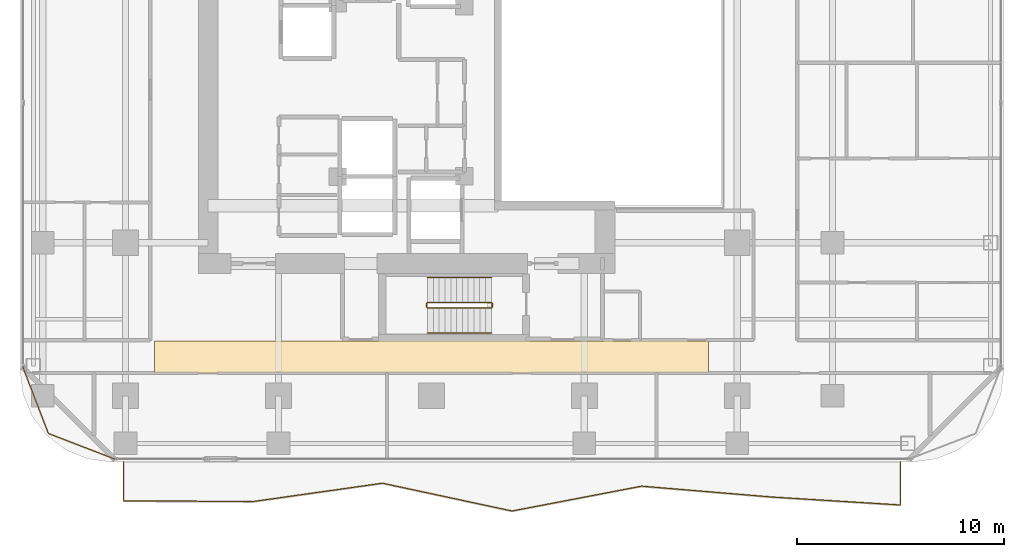
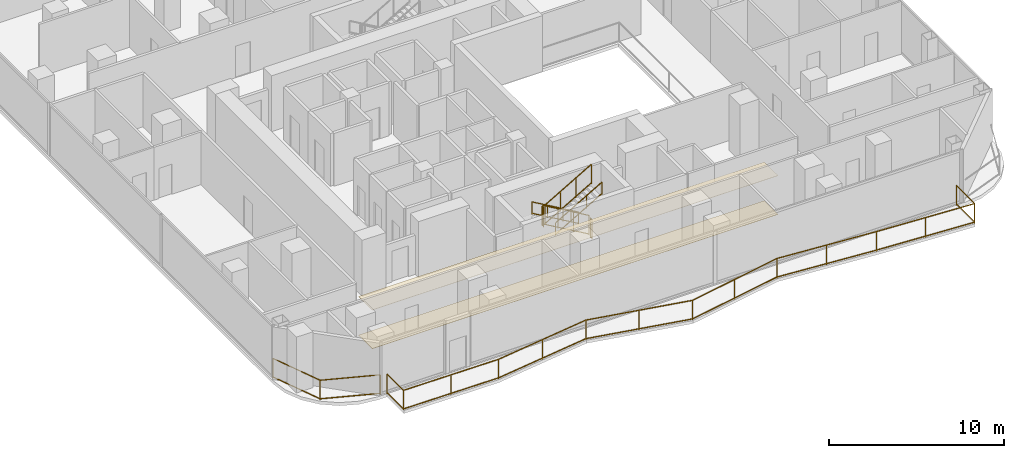
# One storey, part 25 of 27: 8 railings, 2 coverings.
"""IFC4 building model written with IfcOpenShell, lengths in metres."""

from ifc_helpers import new_model, si_unit, direction, frame, origin, origin_2d, place, context, subcontext, project, spatial, polyline, rectangle, outline, extrude, material, layer, layer_set, type_object, element, save


model = new_model("IFC4")

# Units and contexts
model_context = context("Model", 3, precision=1e-05, world=origin(), true_north=direction((0.0, 1.0)))
body_context = subcontext(model_context, "Body", "Model", "MODEL_VIEW")
ifc_project = project(units=[si_unit("LENGTHUNIT", "METRE"), si_unit("AREAUNIT", "SQUARE_METRE"), si_unit("VOLUMEUNIT", "CUBIC_METRE"), si_unit("PLANEANGLEUNIT", "RADIAN"), si_unit("MASSUNIT", "GRAM", prefix="KILO")], contexts=[model_context])

# Site, building, storey
site_placement = place(None, origin())
site = spatial("IfcSite", under=ifc_project, at=site_placement, CompositionType="ELEMENT")
building_placement = place(site_placement, origin())
building = spatial("IfcBuilding", under=site, at=building_placement, Name="Khorvyn Point Tower", CompositionType="ELEMENT")
storey_placement = place(building_placement, frame((0.0, 0.0, 125.10009765625)))
storey = spatial("IfcBuildingStorey", under=building, at=storey_placement, Name="L31", CompositionType="ELEMENT", Elevation=125.10009765625)

# Railings
ifc_material_1 = material(Name="Anodised aluminium 6063-T6 and laminated safety glass", Category="aluminium")
railing_type_1 = type_object("IfcRailingType", Name="Laminated Glass and Aluminium Balcony Guardrail 1400", PredefinedType="BALUSTRADE", material=ifc_material_1)
railing_1_placement = place(storey_placement, frame((-19.774169921875, -13.3759765625, 0.0)))
element("IfcRailing", 1, at=railing_1_placement, inside=storey, type_object=railing_type_1, Name="L31 Rounded Corner Edge Guardrail SW", PredefinedType="BALUSTRADE", context=body_context, shape_type="SweptSolid", body=[
    extrude(rectangle(XDim=0.048095703125, YDim=0.048095703125, at=origin_2d()), frame((0.0, 0.0, 1.3759765625), z_axis=(0.358382264808, -0.933574931257, 0.0), x_axis=(0.933574931257, 0.358382264808, 0.0)), (0.0, 0.0, 1.0), 3.481689453125),
    extrude(rectangle(XDim=0.048095703125, YDim=0.048095703125, at=origin_2d()), frame((0.0, 0.0, 0.080078125), z_axis=(0.358382264808, -0.933574931257, 0.0), x_axis=(0.933574931257, 0.358382264808, 0.0)), (0.0, 0.0, 1.0), 3.481689453125),
    extrude(rectangle(XDim=0.048095703125, YDim=0.048095703125, at=origin_2d()), frame((1.247802734375, -3.25048828125, 1.3759765625), z_axis=(0.933598390295, -0.358321148746, 0.0), x_axis=(0.358321148746, 0.933598390295, 0.0)), (0.0, 0.0, 1.0), 3.481689453125),
    extrude(rectangle(XDim=0.048095703125, YDim=0.048095703125, at=origin_2d()), frame((1.247802734375, -3.25048828125, 0.080078125), z_axis=(0.933598390295, -0.358321148746, 0.0), x_axis=(0.358321148746, 0.933598390295, 0.0)), (0.0, 0.0, 1.0), 3.481689453125),
    extrude(rectangle(XDim=0.0419921875, YDim=0.0419921875, at=origin_2d()), origin(), (0.0, 0.0, 1.0), 1.351806640625),
    extrude(rectangle(XDim=0.0419921875, YDim=0.0419921875, at=origin_2d()), frame((1.247802734375, -3.25048828125, 0.0)), (0.0, 0.0, 1.0), 1.351806640625),
    extrude(rectangle(XDim=0.0419921875, YDim=0.0419921875, at=origin_2d()), frame((4.498291015625, -4.498046875, 0.0)), (0.0, 0.0, 1.0), 1.351806640625),
])
railing_2_placement = place(storey_placement, frame((-14.89990234375, -18.0, 0.0)))
element("IfcRailing", 2, at=railing_2_placement, inside=storey, type_object=railing_type_1, Name="L31 South Balcony Guardrail", PredefinedType="BALUSTRADE", context=body_context, shape_type="SweptSolid", body=[
    extrude(rectangle(XDim=0.048095703125, YDim=0.048095703125, at=origin_2d()), frame((0.0, 0.0, 1.3759765625), z_axis=(0.0, -1.0, 0.0), x_axis=(1.0, 0.0, 0.0)), (0.0, 0.0, 1.0), 1.881591796875),
    extrude(rectangle(XDim=0.048095703125, YDim=0.048095703125, at=origin_2d()), frame((0.0, 0.0, 0.080078125), z_axis=(0.0, -1.0, 0.0), x_axis=(1.0, 0.0, 0.0)), (0.0, 0.0, 1.0), 1.881591796875),
    extrude(rectangle(XDim=0.048095703125, YDim=0.048095703125, at=origin_2d()), frame((0.0, -1.881591796875, 1.3759765625), z_axis=(0.999983823628, -0.005687924195, 0.0), x_axis=(0.005687924195, 0.999983823628, 0.0)), (0.0, 0.0, 1.0), 6.2666015625),
    extrude(rectangle(XDim=0.048095703125, YDim=0.048095703125, at=origin_2d()), frame((0.0, -1.881591796875, 0.080078125), z_axis=(0.999983823628, -0.005687924195, 0.0), x_axis=(0.005687924195, 0.999983823628, 0.0)), (0.0, 0.0, 1.0), 6.2666015625),
    extrude(rectangle(XDim=0.048095703125, YDim=0.048095703125, at=origin_2d()), frame((6.2666015625, -1.917236328125, 1.3759765625), z_axis=(0.990115445767, 0.14025478264, 0.0), x_axis=(-0.14025478264, 0.990115445767, 0.0)), (0.0, 0.0, 1.0), 6.3291015625),
    extrude(rectangle(XDim=0.048095703125, YDim=0.048095703125, at=origin_2d()), frame((6.2666015625, -1.917236328125, 0.080078125), z_axis=(0.990115445767, 0.14025478264, 0.0), x_axis=(-0.14025478264, 0.990115445767, 0.0)), (0.0, 0.0, 1.0), 6.3291015625),
    extrude(rectangle(XDim=0.048095703125, YDim=0.048095703125, at=origin_2d()), frame((12.533203125, -1.029541015625, 1.3759765625), z_axis=(0.977765606947, -0.209700781761, 0.0), x_axis=(0.209700781761, 0.977765606947, 0.0)), (0.0, 0.0, 1.0), 6.4091796875),
    extrude(rectangle(XDim=0.048095703125, YDim=0.048095703125, at=origin_2d()), frame((12.533203125, -1.029541015625, 0.080078125), z_axis=(0.977765606947, -0.209700781761, 0.0), x_axis=(0.209700781761, 0.977765606947, 0.0)), (0.0, 0.0, 1.0), 6.4091796875),
    extrude(rectangle(XDim=0.048095703125, YDim=0.048095703125, at=origin_2d()), frame((18.7998046875, -2.37353515625, 1.3759765625), z_axis=(0.982122245622, 0.188244242022, 0.0), x_axis=(-0.188244242022, 0.982122245622, 0.0)), (0.0, 0.0, 1.0), 6.380859375),
    extrude(rectangle(XDim=0.048095703125, YDim=0.048095703125, at=origin_2d()), frame((18.7998046875, -2.37353515625, 0.080078125), z_axis=(0.982122245622, 0.188244242022, 0.0), x_axis=(-0.188244242022, 0.982122245622, 0.0)), (0.0, 0.0, 1.0), 6.380859375),
    extrude(rectangle(XDim=0.048095703125, YDim=0.048095703125, at=origin_2d()), frame((25.066650390625, -1.17236328125, 1.3759765625), z_axis=(0.996536112454, -0.083161148234, 0.0), x_axis=(0.083161148234, 0.996536112454, 0.0)), (0.0, 0.0, 1.0), 6.288330078125),
    extrude(rectangle(XDim=0.048095703125, YDim=0.048095703125, at=origin_2d()), frame((25.066650390625, -1.17236328125, 0.080078125), z_axis=(0.996536112454, -0.083161148234, 0.0), x_axis=(0.083161148234, 0.996536112454, 0.0)), (0.0, 0.0, 1.0), 6.288330078125),
    extrude(rectangle(XDim=0.048095703125, YDim=0.048095703125, at=origin_2d()), frame((31.333251953125, -1.6953125, 1.3759765625), z_axis=(0.998086922603, -0.061826328773, 0.0), x_axis=(0.061826328773, 0.998086922603, 0.0)), (0.0, 0.0, 1.0), 6.278564453125),
    extrude(rectangle(XDim=0.048095703125, YDim=0.048095703125, at=origin_2d()), frame((31.333251953125, -1.6953125, 0.080078125), z_axis=(0.998086922603, -0.061826328773, 0.0), x_axis=(0.061826328773, 0.998086922603, 0.0)), (0.0, 0.0, 1.0), 6.278564453125),
    extrude(rectangle(XDim=0.048095703125, YDim=0.048095703125, at=origin_2d()), frame((37.599853515625, -2.08349609375, 1.3759765625), z_axis=(0.0, 1.0, 0.0), x_axis=(-1.0, 0.0, 0.0)), (0.0, 0.0, 1.0), 2.08349609375),
    extrude(rectangle(XDim=0.048095703125, YDim=0.048095703125, at=origin_2d()), frame((37.599853515625, -2.08349609375, 0.080078125), z_axis=(0.0, 1.0, 0.0), x_axis=(-1.0, 0.0, 0.0)), (0.0, 0.0, 1.0), 2.08349609375),
    extrude(rectangle(XDim=0.0419921875, YDim=0.0419921875, at=origin_2d()), origin(), (0.0, 0.0, 1.0), 1.351806640625),
    extrude(rectangle(XDim=0.0419921875, YDim=0.0419921875, at=origin_2d()), frame((0.0, -1.881591796875, 0.0)), (0.0, 0.0, 1.0), 1.351806640625),
    extrude(rectangle(XDim=0.0419921875, YDim=0.0419921875, at=origin_2d()), frame((3.13330078125, -1.8994140625, 0.0)), (0.0, 0.0, 1.0), 1.351806640625),
    extrude(rectangle(XDim=0.0419921875, YDim=0.0419921875, at=origin_2d()), frame((6.2666015625, -1.917236328125, 0.0)), (0.0, 0.0, 1.0), 1.351806640625),
    extrude(rectangle(XDim=0.0419921875, YDim=0.0419921875, at=origin_2d()), frame((9.39990234375, -1.473388671875, 0.0)), (0.0, 0.0, 1.0), 1.351806640625),
    extrude(rectangle(XDim=0.0419921875, YDim=0.0419921875, at=origin_2d()), frame((12.533203125, -1.029541015625, 0.0)), (0.0, 0.0, 1.0), 1.351806640625),
    extrude(rectangle(XDim=0.0419921875, YDim=0.0419921875, at=origin_2d()), frame((15.66650390625, -1.70166015625, 0.0)), (0.0, 0.0, 1.0), 1.351806640625),
    extrude(rectangle(XDim=0.0419921875, YDim=0.0419921875, at=origin_2d()), frame((18.7998046875, -2.37353515625, 0.0)), (0.0, 0.0, 1.0), 1.351806640625),
    extrude(rectangle(XDim=0.0419921875, YDim=0.0419921875, at=origin_2d()), frame((21.93310546875, -1.77294921875, 0.0)), (0.0, 0.0, 1.0), 1.351806640625),
    extrude(rectangle(XDim=0.0419921875, YDim=0.0419921875, at=origin_2d()), frame((25.066650390625, -1.17236328125, 0.0)), (0.0, 0.0, 1.0), 1.351806640625),
    extrude(rectangle(XDim=0.0419921875, YDim=0.0419921875, at=origin_2d()), frame((28.199951171875, -1.433837890625, 0.0)), (0.0, 0.0, 1.0), 1.351806640625),
    extrude(rectangle(XDim=0.0419921875, YDim=0.0419921875, at=origin_2d()), frame((31.333251953125, -1.6953125, 0.0)), (0.0, 0.0, 1.0), 1.351806640625),
    extrude(rectangle(XDim=0.0419921875, YDim=0.0419921875, at=origin_2d()), frame((34.466552734375, -1.889404296875, 0.0)), (0.0, 0.0, 1.0), 1.351806640625),
    extrude(rectangle(XDim=0.0419921875, YDim=0.0419921875, at=origin_2d()), frame((37.599853515625, -2.08349609375, 0.0)), (0.0, 0.0, 1.0), 1.351806640625),
    extrude(rectangle(XDim=0.0419921875, YDim=0.0419921875, at=origin_2d()), frame((37.599853515625, 0.0, 0.0)), (0.0, 0.0, 1.0), 1.351806640625),
])

# Coverings
ifc_material_2 = material(Name="Mineral-fibre acoustic ceiling board", Category="gypsum")
ifc_layer_1 = layer(ifc_material_2, 0.02001953125)
ifc_layer_set_1 = layer_set([ifc_layer_1], Name="Perforated Mineral-Fibre Acoustic Suspended Ceiling 20")
covering_type_1 = type_object("IfcCoveringType", Name="Perforated Mineral-Fibre Acoustic Suspended Ceiling 20", PredefinedType="CEILING", material=ifc_layer_set_1)
covering_1_placement = place(storey_placement, frame((0.0, 0.0, 2.699951171875)))
element("IfcCovering", 3, at=covering_1_placement, inside=storey, type_object=covering_type_1, Name="L31 South Corridor Acoustic Ceiling", PredefinedType="CEILING", context=body_context, shape_type="SweptSolid", body=[
    extrude(outline(polyline([(-13.39990234375, -13.7099609375), (13.39990234375, -13.7099609375), (13.39990234375, -12.139892578125), (-13.39990234375, -12.139892578125), (-13.39990234375, -13.7099609375)])), origin(), (0.0, 0.0, 1.0), 0.02001953125),
])
ifc_material_3 = material(Name="Vitrified porcelain terrazzo tile", Category="ceramic")
ifc_layer_2 = layer(ifc_material_3, 0.01806640625)
ifc_layer_set_2 = layer_set([ifc_layer_2], Name="Porcelain Terrazzo Corridor Floor Finish Tile 18")
covering_type_2 = type_object("IfcCoveringType", Name="Porcelain Terrazzo Corridor Floor Finish Tile 18", PredefinedType="FLOORING", material=ifc_layer_set_2)
covering_2_placement = place(storey_placement, origin())
element("IfcCovering", 4, at=covering_2_placement, inside=storey, type_object=covering_type_2, Name="L31 South Corridor Terrazzo Flooring", PredefinedType="FLOORING", context=body_context, shape_type="SweptSolid", body=[
    extrude(outline(polyline([(-13.39990234375, -13.7099609375), (13.39990234375, -13.7099609375), (13.39990234375, -12.139892578125), (-13.39990234375, -12.139892578125), (-13.39990234375, -13.7099609375)])), origin(), (0.0, 0.0, 1.0), 0.017822265625),
])

# Railings
ifc_material_4 = material(Name="Stainless steel 1.4301", Category="steel")
railing_type_2 = type_object("IfcRailingType", Name="Stainless Steel 304 Stair Pitch Handrail 900", PredefinedType="HANDRAIL", material=ifc_material_4)
railing_3_placement = place(storey_placement, frame((2.89990234375, -9.070068359375, 0.162353515625)))
element("IfcRailing", 5, at=railing_3_placement, inside=storey, type_object=railing_type_2, Name="L31 ST-01 stair handrail 1", PredefinedType="HANDRAIL", context=body_context, shape_type="SweptSolid", body=[
    extrude(rectangle(XDim=0.048095703125, YDim=0.048095703125, at=origin_2d()), frame((0.0, 0.0, 0.8759765625), z_axis=(-0.864873446163, 0.0, 0.501989962173), x_axis=(0.0, -1.0, 0.0)), (0.0, 0.0, 1.0), 3.56103515625),
    extrude(rectangle(XDim=0.048095703125, YDim=0.048095703125, at=origin_2d()), frame((0.0, 0.0, 0.080078125), z_axis=(-0.864873446163, 0.0, 0.501989962173), x_axis=(0.0, -1.0, 0.0)), (0.0, 0.0, 1.0), 3.56103515625),
    extrude(rectangle(XDim=0.0419921875, YDim=0.0419921875, at=origin_2d()), origin(), (0.0, 0.0, 1.0), 0.851806640625),
    extrude(rectangle(XDim=0.0419921875, YDim=0.0419921875, at=origin_2d()), frame((-1.026611328125, 0.0, 0.595947265625)), (0.0, 0.0, 1.0), 0.851806640625),
    extrude(rectangle(XDim=0.0419921875, YDim=0.0419921875, at=origin_2d()), frame((-2.05322265625, 0.0, 1.191650390625)), (0.0, 0.0, 1.0), 0.851806640625),
    extrude(rectangle(XDim=0.0419921875, YDim=0.0419921875, at=origin_2d()), frame((-3.079833984375, 0.0, 1.78759765625)), (0.0, 0.0, 1.0), 0.851806640625),
])
railing_4_placement = place(storey_placement, frame((-0.179931640625, -11.77001953125, 2.1123046875)))
element("IfcRailing", 6, at=railing_4_placement, inside=storey, type_object=railing_type_2, Name="L31 ST-01 stair handrail 2", PredefinedType="HANDRAIL", context=body_context, shape_type="SweptSolid", body=[
    extrude(rectangle(XDim=0.048095703125, YDim=0.048095703125, at=origin_2d()), frame((0.0, 0.0, 0.8759765625), z_axis=(0.864873446163, 0.0, 0.501989962173), x_axis=(0.0, 1.0, 0.0)), (0.0, 0.0, 1.0), 3.56103515625),
    extrude(rectangle(XDim=0.048095703125, YDim=0.048095703125, at=origin_2d()), frame((0.0, 0.0, 0.080078125), z_axis=(0.864873446163, 0.0, 0.501989962173), x_axis=(0.0, 1.0, 0.0)), (0.0, 0.0, 1.0), 3.56103515625),
    extrude(rectangle(XDim=0.0419921875, YDim=0.0419921875, at=origin_2d()), origin(), (0.0, 0.0, 1.0), 0.851806640625),
    extrude(rectangle(XDim=0.0419921875, YDim=0.0419921875, at=origin_2d()), frame((1.026611328125, 0.0, 0.595947265625)), (0.0, 0.0, 1.0), 0.851806640625),
    extrude(rectangle(XDim=0.0419921875, YDim=0.0419921875, at=origin_2d()), frame((2.05322265625, 0.0, 1.191650390625)), (0.0, 0.0, 1.0), 0.851806640625),
    extrude(rectangle(XDim=0.0419921875, YDim=0.0419921875, at=origin_2d()), frame((3.079833984375, 0.0, 1.78759765625)), (0.0, 0.0, 1.0), 0.851806640625),
])
railing_type_3 = type_object("IfcRailingType", Name="Stainless Steel 304 Stair Well Guardrail 1400", PredefinedType="GUARDRAIL", material=ifc_material_4)
railing_5_placement = place(storey_placement, frame((2.89990234375, -10.2900390625, 0.162353515625)))
element("IfcRailing", 7, at=railing_5_placement, inside=storey, type_object=railing_type_3, Name="L31 ST-01 stair guard 1", PredefinedType="GUARDRAIL", context=body_context, shape_type="SweptSolid", body=[
    extrude(rectangle(XDim=0.048095703125, YDim=0.048095703125, at=origin_2d()), frame((0.0, 0.0, 1.3759765625), z_axis=(-0.864873446163, 0.0, 0.501989962173), x_axis=(0.0, -1.0, 0.0)), (0.0, 0.0, 1.0), 3.56103515625),
    extrude(rectangle(XDim=0.048095703125, YDim=0.048095703125, at=origin_2d()), frame((0.0, 0.0, 0.080078125), z_axis=(-0.864873446163, 0.0, 0.501989962173), x_axis=(0.0, -1.0, 0.0)), (0.0, 0.0, 1.0), 3.56103515625),
    extrude(rectangle(XDim=0.0419921875, YDim=0.0419921875, at=origin_2d()), origin(), (0.0, 0.0, 1.0), 1.351806640625),
    extrude(rectangle(XDim=0.0419921875, YDim=0.0419921875, at=origin_2d()), frame((-1.026611328125, 0.0, 0.595947265625)), (0.0, 0.0, 1.0), 1.351806640625),
    extrude(rectangle(XDim=0.0419921875, YDim=0.0419921875, at=origin_2d()), frame((-2.05322265625, 0.0, 1.191650390625)), (0.0, 0.0, 1.0), 1.351806640625),
    extrude(rectangle(XDim=0.0419921875, YDim=0.0419921875, at=origin_2d()), frame((-3.079833984375, 0.0, 1.78759765625)), (0.0, 0.0, 1.0), 1.351806640625),
])
railing_6_placement = place(storey_placement, frame((-0.22998046875, -10.340087890625, 1.949951171875)))
element("IfcRailing", 8, at=railing_6_placement, inside=storey, type_object=railing_type_3, Name="L31 ST-01 stair guard 2", PredefinedType="GUARDRAIL", context=body_context, shape_type="SweptSolid", body=[
    extrude(rectangle(XDim=0.048095703125, YDim=0.048095703125, at=origin_2d()), frame((0.0, 0.0, 1.3759765625), z_axis=(0.0, -1.0, 0.0), x_axis=(1.0, 0.0, 0.0)), (0.0, 0.0, 1.0), 0.159912109375),
    extrude(rectangle(XDim=0.048095703125, YDim=0.048095703125, at=origin_2d()), frame((0.0, 0.0, 0.080078125), z_axis=(0.0, -1.0, 0.0), x_axis=(1.0, 0.0, 0.0)), (0.0, 0.0, 1.0), 0.159912109375),
    extrude(rectangle(XDim=0.0419921875, YDim=0.0419921875, at=origin_2d()), origin(), (0.0, 0.0, 1.0), 1.351806640625),
    extrude(rectangle(XDim=0.0419921875, YDim=0.0419921875, at=origin_2d()), frame((0.0, -0.159912109375, 0.0)), (0.0, 0.0, 1.0), 1.351806640625),
])
railing_7_placement = place(storey_placement, frame((-0.179931640625, -10.550048828125, 2.1123046875)))
element("IfcRailing", 9, at=railing_7_placement, inside=storey, type_object=railing_type_3, Name="L31 ST-01 stair guard 3", PredefinedType="GUARDRAIL", context=body_context, shape_type="SweptSolid", body=[
    extrude(rectangle(XDim=0.048095703125, YDim=0.048095703125, at=origin_2d()), frame((0.0, 0.0, 1.3759765625), z_axis=(0.864873446163, 0.0, 0.501989962173), x_axis=(0.0, 1.0, 0.0)), (0.0, 0.0, 1.0), 3.56103515625),
    extrude(rectangle(XDim=0.048095703125, YDim=0.048095703125, at=origin_2d()), frame((0.0, 0.0, 0.080078125), z_axis=(0.864873446163, 0.0, 0.501989962173), x_axis=(0.0, 1.0, 0.0)), (0.0, 0.0, 1.0), 3.56103515625),
    extrude(rectangle(XDim=0.0419921875, YDim=0.0419921875, at=origin_2d()), origin(), (0.0, 0.0, 1.0), 1.351806640625),
    extrude(rectangle(XDim=0.0419921875, YDim=0.0419921875, at=origin_2d()), frame((1.026611328125, 0.0, 0.595947265625)), (0.0, 0.0, 1.0), 1.351806640625),
    extrude(rectangle(XDim=0.0419921875, YDim=0.0419921875, at=origin_2d()), frame((2.05322265625, 0.0, 1.191650390625)), (0.0, 0.0, 1.0), 1.351806640625),
    extrude(rectangle(XDim=0.0419921875, YDim=0.0419921875, at=origin_2d()), frame((3.079833984375, 0.0, 1.78759765625)), (0.0, 0.0, 1.0), 1.351806640625),
])
railing_8_placement = place(storey_placement, frame((2.949951171875, -10.340087890625, 0.0)))
element("IfcRailing", 10, at=railing_8_placement, inside=storey, type_object=railing_type_3, Name="L31 ST-01 stair guard 4", PredefinedType="GUARDRAIL", context=body_context, shape_type="SweptSolid", body=[
    extrude(rectangle(XDim=0.048095703125, YDim=0.048095703125, at=origin_2d()), frame((0.0, 0.0, 1.3759765625), z_axis=(0.0, -1.0, 0.0), x_axis=(1.0, 0.0, 0.0)), (0.0, 0.0, 1.0), 0.159912109375),
    extrude(rectangle(XDim=0.048095703125, YDim=0.048095703125, at=origin_2d()), frame((0.0, 0.0, 0.080078125), z_axis=(0.0, -1.0, 0.0), x_axis=(1.0, 0.0, 0.0)), (0.0, 0.0, 1.0), 0.159912109375),
    extrude(rectangle(XDim=0.0419921875, YDim=0.0419921875, at=origin_2d()), origin(), (0.0, 0.0, 1.0), 1.351806640625),
    extrude(rectangle(XDim=0.0419921875, YDim=0.0419921875, at=origin_2d()), frame((0.0, -0.159912109375, 0.0)), (0.0, 0.0, 1.0), 1.351806640625),
])

save(model, "model.ifc")
